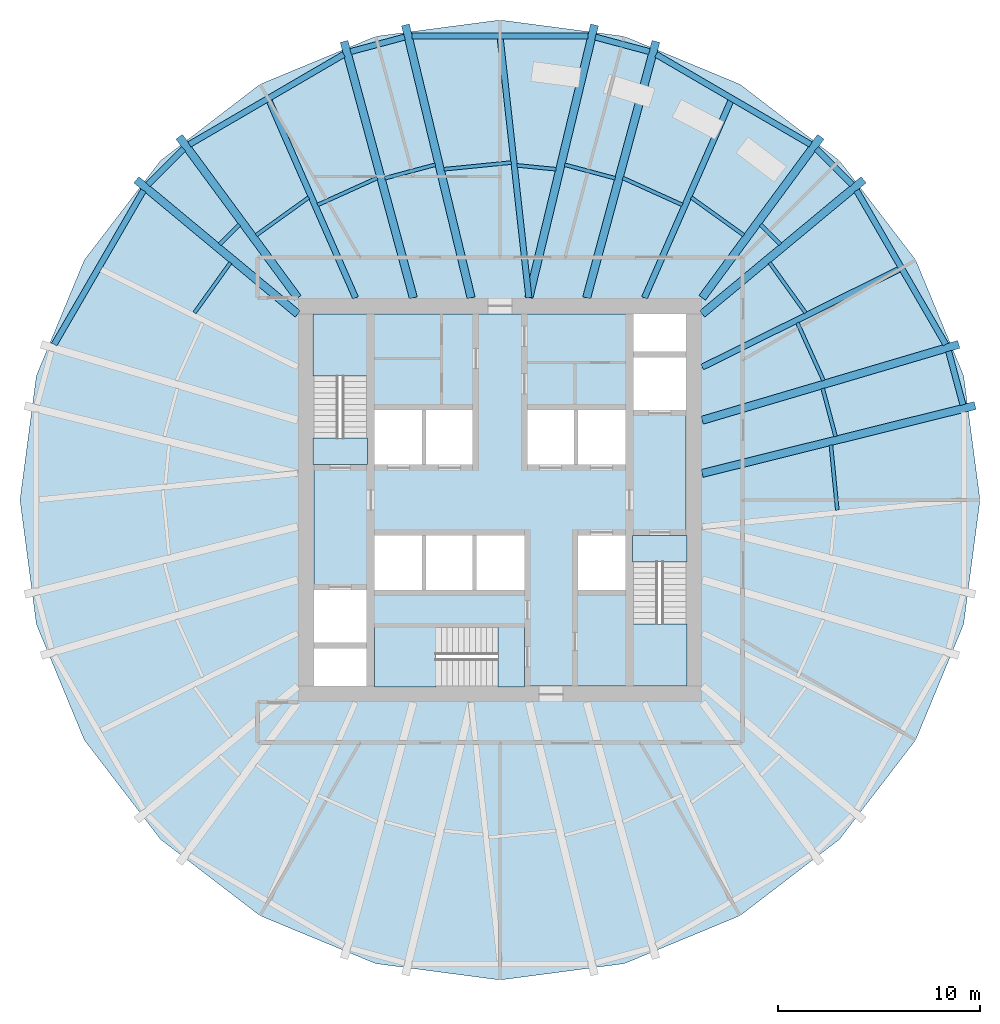
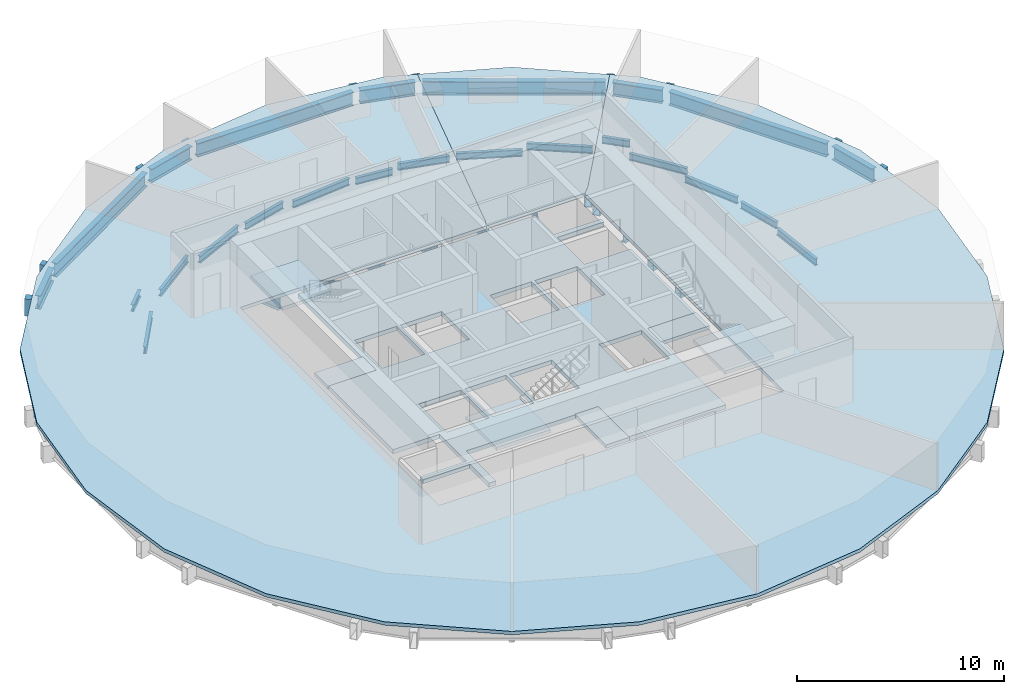
# One storey, part 2 of 7: 39 beams, 9 slabs, 3 elements without a shape of their own.
"""IFC4 building model written with IfcOpenShell, lengths in metres."""

from ifc_helpers import new_model, si_unit, direction, frame, origin, origin_2d, place, context, subcontext, project, spatial, polyline, hollow_rectangle, i_section, outline, extrude, material, layer, layer_set, material_profile, profile_set, type_object, element, aggregate, save


model = new_model("IFC4")

# Units and contexts
model_context = context("Model", 3, precision=1e-05, world=origin(), true_north=direction((0.0, 1.0)))
body_context = subcontext(model_context, "Body", "Model", "MODEL_VIEW")
ifc_project = project(units=[si_unit("LENGTHUNIT", "METRE"), si_unit("AREAUNIT", "SQUARE_METRE"), si_unit("VOLUMEUNIT", "CUBIC_METRE"), si_unit("PLANEANGLEUNIT", "RADIAN"), si_unit("MASSUNIT", "GRAM", prefix="KILO")], contexts=[model_context])

# Site, building, storey
site_placement = place(None, origin())
site = spatial("IfcSite", under=ifc_project, at=site_placement, CompositionType="ELEMENT")
building_placement = place(site_placement, origin())
building = spatial("IfcBuilding", under=site, at=building_placement, Name="Golbaran Civic Tower", CompositionType="ELEMENT")
storey_placement = place(building_placement, frame((0.0, 0.0, 65.0)))
storey = spatial("IfcBuildingStorey", under=building, at=storey_placement, Name="L15", CompositionType="ELEMENT", Elevation=65.0)

# Beams
ifc_material_1 = material(Name="Steel S355", Category="steel")
ifc_material_profile_1 = material_profile(ifc_material_1, i_section(OverallWidth=0.300048828125, OverallDepth=0.800048828125, WebThickness=0.017578125, FlangeThickness=0.032958984375, FilletRadius=0.030029296875, at=origin_2d()), Name="HEB 800")
ifc_profile_set_1 = profile_set([ifc_material_profile_1], Name="Steel S355")
beam_type_1 = type_object("IfcBeamType", Name="EDGE BEAM HEB 800", PredefinedType="BEAM", material=ifc_profile_set_1)
beam_1_placement = place(storey_placement, frame((22.892822265625, 4.707763671875, -0.60009765625), z_axis=(-0.258570152701, 0.965992482441, 0.0), x_axis=(-0.965992482441, -0.258570152701, 0.0)))
element("IfcBeam", 1, at=beam_1_placement, inside=storey, type_object=beam_type_1, Name="Edge beam 11.32 L15", PredefinedType="BEAM", context=body_context, shape_type="SweptSolid", body=[
    extrude(i_section(OverallWidth=0.300048828125, OverallDepth=0.800048828125, WebThickness=0.017578125, FlangeThickness=0.032958984375, FilletRadius=0.030029296875, at=origin_2d()), origin(), (0.0, 0.0, 1.0), 2.74560546875),
])
beam_2_placement = place(storey_placement, frame((22.04345703125, 7.694091796875, -0.60009765625), z_axis=(-0.50151960102, 0.865146282309, 0.0), x_axis=(-0.865146282309, -0.50151960102, 0.0)))
element("IfcBeam", 2, at=beam_2_placement, inside=storey, type_object=beam_type_1, Name="Edge beam 18.68 L15", PredefinedType="BEAM", context=body_context, shape_type="SweptSolid", body=[
    extrude(i_section(OverallWidth=0.300048828125, OverallDepth=0.800048828125, WebThickness=0.017578125, FlangeThickness=0.032958984375, FilletRadius=0.030029296875, at=origin_2d()), origin(), (0.0, 0.0, 1.0), 8.79931640625),
])
beam_3_placement = place(storey_placement, frame((17.411376953125, 15.5927734375, -0.60009765625), z_axis=(-0.706031038, 0.708180890296, 0.0), x_axis=(-0.708180890296, -0.706031038, 0.0)))
element("IfcBeam", 3, at=beam_3_placement, inside=storey, type_object=beam_type_1, Name="Edge beam 41.32 L15", PredefinedType="BEAM", context=body_context, shape_type="SweptSolid", body=[
    extrude(i_section(OverallWidth=0.300048828125, OverallDepth=0.800048828125, WebThickness=0.017578125, FlangeThickness=0.032958984375, FilletRadius=0.030029296875, at=origin_2d()), origin(), (0.0, 0.0, 1.0), 2.498291015625),
])
beam_4_placement = place(storey_placement, frame((15.362548828125, 17.582275390625, -0.60009765625), z_axis=(-0.864063190564, 0.503383355617, 0.0), x_axis=(-0.503383355617, -0.864063190564, 0.0)))
element("IfcBeam", 4, at=beam_4_placement, inside=storey, type_object=beam_type_1, Name="Edge beam 48.68 L15", PredefinedType="BEAM", context=body_context, shape_type="SweptSolid", body=[
    extrude(i_section(OverallWidth=0.300048828125, OverallDepth=0.800048828125, WebThickness=0.017578125, FlangeThickness=0.032958984375, FilletRadius=0.030029296875, at=origin_2d()), origin(), (0.0, 0.0, 1.0), 8.841552734375),
])
beam_5_placement = place(storey_placement, frame((7.387939453125, 22.173583984375, -0.60009765625), z_axis=(-0.965779219382, 0.259365570982, 0.0), x_axis=(-0.259365570982, -0.965779219382, 0.0)))
element("IfcBeam", 5, at=beam_5_placement, inside=storey, type_object=beam_type_1, Name="Edge beam 71.32 L15", PredefinedType="BEAM", context=body_context, shape_type="SweptSolid", body=[
    extrude(i_section(OverallWidth=0.300048828125, OverallDepth=0.800048828125, WebThickness=0.017578125, FlangeThickness=0.032958984375, FilletRadius=0.030029296875, at=origin_2d()), origin(), (0.0, 0.0, 1.0), 2.765625),
])
beam_6_placement = place(storey_placement, frame((4.35791015625, 22.937744140625, -0.60009765625), z_axis=(-1.0, 0.0, 0.0), x_axis=(0.0, -1.0, 0.0)))
element("IfcBeam", 6, at=beam_6_placement, inside=storey, type_object=beam_type_1, Name="Edge beam 78.68 L15", PredefinedType="BEAM", context=body_context, shape_type="SweptSolid", body=[
    extrude(i_section(OverallWidth=0.300048828125, OverallDepth=0.800048828125, WebThickness=0.017578125, FlangeThickness=0.032958984375, FilletRadius=0.030029296875, at=origin_2d()), origin(), (0.0, 0.0, 1.0), 8.7158203125),
])
beam_7_placement = place(storey_placement, frame((-4.717041015625, 22.890869140625, -0.60009765625), z_axis=(-0.965779219382, -0.259365570982, 0.0), x_axis=(0.259365570982, -0.965779219382, 0.0)))
element("IfcBeam", 7, at=beam_7_placement, inside=storey, type_object=beam_type_1, Name="Edge beam 101.32 L15", PredefinedType="BEAM", context=body_context, shape_type="SweptSolid", body=[
    extrude(i_section(OverallWidth=0.300048828125, OverallDepth=0.800048828125, WebThickness=0.017578125, FlangeThickness=0.032958984375, FilletRadius=0.030029296875, at=origin_2d()), origin(), (0.0, 0.0, 1.0), 2.765625),
])
beam_8_placement = place(storey_placement, frame((-7.722900390625, 22.032958984375, -0.60009765625), z_axis=(-0.864063190564, -0.503383355617, 0.0), x_axis=(0.503383355617, -0.864063190564, 0.0)))
element("IfcBeam", 8, at=beam_8_placement, inside=storey, type_object=beam_type_1, Name="Edge beam 108.68 L15", PredefinedType="BEAM", context=body_context, shape_type="SweptSolid", body=[
    extrude(i_section(OverallWidth=0.300048828125, OverallDepth=0.800048828125, WebThickness=0.017578125, FlangeThickness=0.032958984375, FilletRadius=0.030029296875, at=origin_2d()), origin(), (0.0, 0.0, 1.0), 8.841552734375),
])
beam_9_placement = place(storey_placement, frame((-15.6474609375, 17.362060546875, -0.60009765625), z_axis=(-0.706031038, -0.708180890296, 0.0), x_axis=(0.708180890296, -0.706031038, 0.0)))
element("IfcBeam", 9, at=beam_9_placement, inside=storey, type_object=beam_type_1, Name="Edge beam 131.32 L15", PredefinedType="BEAM", context=body_context, shape_type="SweptSolid", body=[
    extrude(i_section(OverallWidth=0.300048828125, OverallDepth=0.800048828125, WebThickness=0.017578125, FlangeThickness=0.032958984375, FilletRadius=0.030029296875, at=origin_2d()), origin(), (0.0, 0.0, 1.0), 2.498291015625),
])
beam_10_placement = place(storey_placement, frame((-17.63037109375, 15.306884765625, -0.60009765625), z_axis=(-0.50151960102, -0.865146282309, 0.0), x_axis=(0.865146282309, -0.50151960102, 0.0)))
element("IfcBeam", 10, at=beam_10_placement, inside=storey, type_object=beam_type_1, Name="Edge beam 138.68 L15", PredefinedType="BEAM", context=body_context, shape_type="SweptSolid", body=[
    extrude(i_section(OverallWidth=0.300048828125, OverallDepth=0.800048828125, WebThickness=0.017578125, FlangeThickness=0.032958984375, FilletRadius=0.030029296875, at=origin_2d()), origin(), (0.0, 0.0, 1.0), 8.79931640625),
])
ifc_material_profile_2 = material_profile(ifc_material_1, i_section(OverallWidth=0.179931640625, OverallDepth=0.39990234375, WebThickness=0.008544921875, FlangeThickness=0.013427734375, FilletRadius=0.02099609375, at=origin_2d()), Name="IPE 400")
ifc_profile_set_2 = profile_set([ifc_material_profile_2], Name="Steel S355")
beam_type_2 = type_object("IfcBeamType", Name="FLOOR INFILL BEAM IPE 400", PredefinedType="BEAM", material=ifc_profile_set_2)
beam_11_placement = place(storey_placement, frame((16.681640625, -0.5048828125, -0.39990234375), z_axis=(-0.098636260006, 0.995123554244, 0.0), x_axis=(-0.995123554244, -0.098636260006, 0.0)))
element("IfcBeam", 11, at=beam_11_placement, inside=storey, type_object=beam_type_2, Name="Infill beam 5.66 L15", PredefinedType="BEAM", context=body_context, shape_type="SweptSolid", body=[
    extrude(i_section(OverallWidth=0.179931640625, OverallDepth=0.39990234375, WebThickness=0.008544921875, FlangeThickness=0.013427734375, FilletRadius=0.02099609375, at=origin_2d()), origin(), (0.0, 0.0, 1.0), 3.232666015625),
])
beam_12_placement = place(storey_placement, frame((16.5947265625, 3.140625, -0.39990234375), z_axis=(-0.258792276938, 0.9659329984, 0.0), x_axis=(-0.9659329984, -0.258792276938, 0.0)))
element("IfcBeam", 12, at=beam_12_placement, inside=storey, type_object=beam_type_2, Name="Infill beam 15.00 L15", PredefinedType="BEAM", context=body_context, shape_type="SweptSolid", body=[
    extrude(i_section(OverallWidth=0.179931640625, OverallDepth=0.39990234375, WebThickness=0.008544921875, FlangeThickness=0.013427734375, FilletRadius=0.02099609375, at=origin_2d()), origin(), (0.0, 0.0, 1.0), 2.461181640625),
])
beam_13_placement = place(storey_placement, frame((15.998779296875, 5.905517578125, -0.39990234375), z_axis=(-0.412089389939, 0.911143421586, 0.0), x_axis=(-0.911143421586, -0.412089389939, 0.0)))
element("IfcBeam", 13, at=beam_13_placement, inside=storey, type_object=beam_type_2, Name="Infill beam 24.34 L15", PredefinedType="BEAM", context=body_context, shape_type="SweptSolid", body=[
    extrude(i_section(OverallWidth=0.179931640625, OverallDepth=0.39990234375, WebThickness=0.008544921875, FlangeThickness=0.013427734375, FilletRadius=0.02099609375, at=origin_2d()), origin(), (0.0, 0.0, 1.0), 3.1357421875),
])
beam_14_placement = place(storey_placement, frame((15.111572265625, 9.25390625, -0.39990234375), z_axis=(-0.582938862706, 0.812516019748, 0.0), x_axis=(-0.812516019748, -0.582938862706, 0.0)))
element("IfcBeam", 14, at=beam_14_placement, inside=storey, type_object=beam_type_2, Name="Infill beam 35.66 L15", PredefinedType="BEAM", context=body_context, shape_type="SweptSolid", body=[
    extrude(i_section(OverallWidth=0.179931640625, OverallDepth=0.39990234375, WebThickness=0.008544921875, FlangeThickness=0.013427734375, FilletRadius=0.02099609375, at=origin_2d()), origin(), (0.0, 0.0, 1.0), 3.05322265625),
])
beam_15_placement = place(storey_placement, frame((13.861083984375, 12.642578125, -0.39990234375), z_axis=(-0.707195441054, 0.707018110201, 0.0), x_axis=(-0.707018110201, -0.707195441054, 0.0)))
element("IfcBeam", 15, at=beam_15_placement, inside=storey, type_object=beam_type_2, Name="Infill beam 45.00 L15", PredefinedType="BEAM", context=body_context, shape_type="SweptSolid", body=[
    extrude(i_section(OverallWidth=0.179931640625, OverallDepth=0.39990234375, WebThickness=0.008544921875, FlangeThickness=0.013427734375, FilletRadius=0.02099609375, at=origin_2d()), origin(), (0.0, 0.0, 1.0), 1.376708984375),
])
beam_16_placement = place(storey_placement, frame((12.056640625, 13.09521484375, -0.39990234375), z_axis=(-0.812493435831, 0.582970339495, 0.0), x_axis=(-0.582970339495, -0.812493435831, 0.0)))
element("IfcBeam", 16, at=beam_16_placement, inside=storey, type_object=beam_type_2, Name="Infill beam 54.34 L15", PredefinedType="BEAM", context=body_context, shape_type="SweptSolid", body=[
    extrude(i_section(OverallWidth=0.179931640625, OverallDepth=0.39990234375, WebThickness=0.008544921875, FlangeThickness=0.013427734375, FilletRadius=0.02099609375, at=origin_2d()), origin(), (0.0, 0.0, 1.0), 3.197509765625),
])
beam_17_placement = place(storey_placement, frame((9.014404296875, 14.593017578125, -0.39990234375), z_axis=(-0.911113331175, 0.412155914376, 0.0), x_axis=(-0.412155914376, -0.911113331175, 0.0)))
element("IfcBeam", 17, at=beam_17_placement, inside=storey, type_object=beam_type_2, Name="Infill beam 65.66 L15", PredefinedType="BEAM", context=body_context, shape_type="SweptSolid", body=[
    extrude(i_section(OverallWidth=0.179931640625, OverallDepth=0.39990234375, WebThickness=0.008544921875, FlangeThickness=0.013427734375, FilletRadius=0.02099609375, at=origin_2d()), origin(), (0.0, 0.0, 1.0), 3.22900390625),
])
beam_18_placement = place(storey_placement, frame((5.69580078125, 15.909912109375, -0.39990234375), z_axis=(-0.96594763022, 0.258737658012, 0.0), x_axis=(-0.258737658012, -0.96594763022, 0.0)))
element("IfcBeam", 18, at=beam_18_placement, inside=storey, type_object=beam_type_2, Name="Infill beam 75.00 L15", PredefinedType="BEAM", context=body_context, shape_type="SweptSolid", body=[
    extrude(i_section(OverallWidth=0.179931640625, OverallDepth=0.39990234375, WebThickness=0.008544921875, FlangeThickness=0.013427734375, FilletRadius=0.02099609375, at=origin_2d()), origin(), (0.0, 0.0, 1.0), 2.58642578125),
])
beam_19_placement = place(storey_placement, frame((2.7734375, 16.355712890625, -0.39990234375), z_axis=(-0.995128662023, 0.098584714942, 0.0), x_axis=(-0.098584714942, -0.995128662023, 0.0)))
element("IfcBeam", 19, at=beam_19_placement, inside=storey, type_object=beam_type_2, Name="Infill beam 84.34 L15", PredefinedType="BEAM", context=body_context, shape_type="SweptSolid", body=[
    extrude(i_section(OverallWidth=0.179931640625, OverallDepth=0.39990234375, WebThickness=0.008544921875, FlangeThickness=0.013427734375, FilletRadius=0.02099609375, at=origin_2d()), origin(), (0.0, 0.0, 1.0), 1.946533203125),
])
beam_20_placement = place(storey_placement, frame((0.5595703125, 16.68603515625, -0.39990234375), z_axis=(-0.995124848705, -0.098623199553, 0.0), x_axis=(0.098623199553, -0.995124848705, 0.0)))
element("IfcBeam", 20, at=beam_20_placement, inside=storey, type_object=beam_type_2, Name="Infill beam 95.66 L15", PredefinedType="BEAM", context=body_context, shape_type="SweptSolid", body=[
    extrude(i_section(OverallWidth=0.179931640625, OverallDepth=0.39990234375, WebThickness=0.008544921875, FlangeThickness=0.013427734375, FilletRadius=0.02099609375, at=origin_2d()), origin(), (0.0, 0.0, 1.0), 3.349365234375),
])
beam_21_placement = place(storey_placement, frame((-3.197509765625, 16.5791015625, -0.39990234375), z_axis=(-0.96594763022, -0.258737658012, 0.0), x_axis=(0.258737658012, -0.96594763022, 0.0)))
element("IfcBeam", 21, at=beam_21_placement, inside=storey, type_object=beam_type_2, Name="Infill beam 105.00 L15", PredefinedType="BEAM", context=body_context, shape_type="SweptSolid", body=[
    extrude(i_section(OverallWidth=0.179931640625, OverallDepth=0.39990234375, WebThickness=0.008544921875, FlangeThickness=0.013427734375, FilletRadius=0.02099609375, at=origin_2d()), origin(), (0.0, 0.0, 1.0), 2.58642578125),
])
beam_22_placement = place(storey_placement, frame((-6.072509765625, 15.923828125, -0.39990234375), z_axis=(-0.911113331175, -0.412155914376, 0.0), x_axis=(0.412155914376, -0.911113331175, 0.0)))
element("IfcBeam", 22, at=beam_22_placement, inside=storey, type_object=beam_type_2, Name="Infill beam 114.34 L15", PredefinedType="BEAM", context=body_context, shape_type="SweptSolid", body=[
    extrude(i_section(OverallWidth=0.179931640625, OverallDepth=0.39990234375, WebThickness=0.008544921875, FlangeThickness=0.013427734375, FilletRadius=0.02099609375, at=origin_2d()), origin(), (0.0, 0.0, 1.0), 3.22900390625),
])
beam_23_placement = place(storey_placement, frame((-9.458740234375, 14.959228515625, -0.39990234375), z_axis=(-0.812493435831, -0.582970339495, 0.0), x_axis=(0.582970339495, -0.812493435831, 0.0)))
element("IfcBeam", 23, at=beam_23_placement, inside=storey, type_object=beam_type_2, Name="Infill beam 125.66 L15", PredefinedType="BEAM", context=body_context, shape_type="SweptSolid", body=[
    extrude(i_section(OverallWidth=0.179931640625, OverallDepth=0.39990234375, WebThickness=0.008544921875, FlangeThickness=0.013427734375, FilletRadius=0.02099609375, at=origin_2d()), origin(), (0.0, 0.0, 1.0), 3.197509765625),
])
beam_24_placement = place(storey_placement, frame((-12.887451171875, 13.615966796875, -0.39990234375), z_axis=(-0.707195441054, -0.707018110201, 0.0), x_axis=(0.707018110201, -0.707195441054, 0.0)))
element("IfcBeam", 24, at=beam_24_placement, inside=storey, type_object=beam_type_2, Name="Infill beam 135.00 L15", PredefinedType="BEAM", context=body_context, shape_type="SweptSolid", body=[
    extrude(i_section(OverallWidth=0.179931640625, OverallDepth=0.39990234375, WebThickness=0.008544921875, FlangeThickness=0.013427734375, FilletRadius=0.02099609375, at=origin_2d()), origin(), (0.0, 0.0, 1.0), 1.376708984375),
])
beam_25_placement = place(storey_placement, frame((-13.331787109375, 11.734619140625, -0.39990234375), z_axis=(-0.582938862706, -0.812516019748, 0.0), x_axis=(0.812516019748, -0.582938862706, 0.0)))
element("IfcBeam", 25, at=beam_25_placement, inside=storey, type_object=beam_type_2, Name="Infill beam 144.34 L15", PredefinedType="BEAM", context=body_context, shape_type="SweptSolid", body=[
    extrude(i_section(OverallWidth=0.179931640625, OverallDepth=0.39990234375, WebThickness=0.008544921875, FlangeThickness=0.013427734375, FilletRadius=0.02099609375, at=origin_2d()), origin(), (0.0, 0.0, 1.0), 3.05322265625),
])
ifc_material_profile_3 = material_profile(ifc_material_1, hollow_rectangle(XDim=0.39990234375, YDim=1.0, WallThickness=0.0400390625, at=origin_2d()), Name="BOX 1000x400x40")
ifc_profile_set_3 = profile_set([ifc_material_profile_3], Name="Steel S355")
beam_type_3 = type_object("IfcBeamType", Name="RADIAL FLOOR BEAM BOX 1000x400x40", PredefinedType="BEAM", material=ifc_profile_set_3)
beam_26_placement = place(storey_placement, frame((10.0, 1.314208984375, -0.7099609375), z_axis=(0.970411447986, 0.241457287358, 0.0), x_axis=(-0.241457287358, 0.970411447986, 0.0)))
element("IfcBeam", 26, at=beam_26_placement, inside=storey, type_object=beam_type_3, Name="Radial beam 11.32 L15", PredefinedType="BEAM", context=body_context, shape_type="SweptSolid", body=[
    extrude(hollow_rectangle(XDim=0.39990234375, YDim=1.0, WallThickness=0.0400390625, at=origin_2d()), origin(), (0.0, 0.0, 1.0), 13.90576171875),
])
beam_27_placement = place(storey_placement, frame((10.0, 3.94287109375, -0.7099609375), z_axis=(0.958903426134, 0.283732654709, 0.0), x_axis=(-0.283732654709, 0.958903426134, 0.0)))
element("IfcBeam", 27, at=beam_27_placement, inside=storey, type_object=beam_type_3, Name="Radial beam 18.68 L15", PredefinedType="BEAM", context=body_context, shape_type="SweptSolid", body=[
    extrude(hollow_rectangle(XDim=0.39990234375, YDim=1.0, WallThickness=0.0400390625, at=origin_2d()), origin(), (0.0, 0.0, 1.0), 13.228759765625),
])
beam_28_placement = place(storey_placement, frame((10.0, 9.199951171875, -0.7099609375), z_axis=(0.76909770483, 0.639131223166, 0.0), x_axis=(-0.639131223166, 0.76909770483, 0.0)))
element("IfcBeam", 28, at=beam_28_placement, inside=storey, type_object=beam_type_3, Name="Radial beam 41.32 L15", PredefinedType="BEAM", context=body_context, shape_type="SweptSolid", body=[
    extrude(hollow_rectangle(XDim=0.39990234375, YDim=1.0, WallThickness=0.0400390625, at=origin_2d()), origin(), (0.0, 0.0, 1.0), 10.380615234375),
])
beam_29_placement = place(storey_placement, frame((10.0, 10.0, -0.7099609375), z_axis=(0.593149357241, 0.8050924419, 0.0), x_axis=(-0.8050924419, 0.593149357241, 0.0)))
element("IfcBeam", 29, at=beam_29_placement, inside=storey, type_object=beam_type_3, Name="Radial beam 48.68 L15", PredefinedType="BEAM", context=body_context, shape_type="SweptSolid", body=[
    extrude(hollow_rectangle(XDim=0.39990234375, YDim=1.0, WallThickness=0.0400390625, at=origin_2d()), origin(), (0.0, 0.0, 1.0), 9.890380859375),
])
beam_30_placement = place(storey_placement, frame((4.28564453125, 10.0, -0.7099609375), z_axis=(0.260812095373, 0.965389585042, 0.0), x_axis=(-0.965389585042, 0.260812095373, 0.0)))
element("IfcBeam", 30, at=beam_30_placement, inside=storey, type_object=beam_type_3, Name="Radial beam 71.32 L15", PredefinedType="BEAM", context=body_context, shape_type="SweptSolid", body=[
    extrude(hollow_rectangle(XDim=0.39990234375, YDim=1.0, WallThickness=0.0400390625, at=origin_2d()), origin(), (0.0, 0.0, 1.0), 13.13232421875),
])
for number, where, z_axis, x_axis, name in (
    (31, (1.428466796875, 10.0, -0.7099609375), (0.234054146473, 0.972223563034, 0.0), (-0.972223563034, 0.234054146473, 0.0), "Radial beam 78.68 L15"),
    (32, (-1.428466796875, 10.0, -0.7099609375), (-0.234054146473, 0.972223563034, 0.0), (-0.972223563034, -0.234054146473, 0.0), "Radial beam 101.32 L15"),
):
    element("IfcBeam", number, at=place(storey_placement, frame(where, z_axis=z_axis, x_axis=x_axis)), inside=storey, type_object=beam_type_3, Name=name, PredefinedType="BEAM", context=body_context, shape_type="SweptSolid", body=[
        extrude(hollow_rectangle(XDim=0.39990234375, YDim=1.0, WallThickness=0.0400390625, at=origin_2d()), origin(), (0.0, 0.0, 1.0), 13.87939453125),
    ])
beam_31_placement = place(storey_placement, frame((-4.28564453125, 10.0, -0.7099609375), z_axis=(-0.260812095373, 0.965389585042, 0.0), x_axis=(-0.965389585042, -0.260812095373, 0.0)))
element("IfcBeam", 33, at=beam_31_placement, inside=storey, type_object=beam_type_3, Name="Radial beam 108.68 L15", PredefinedType="BEAM", context=body_context, shape_type="SweptSolid", body=[
    extrude(hollow_rectangle(XDim=0.39990234375, YDim=1.0, WallThickness=0.0400390625, at=origin_2d()), origin(), (0.0, 0.0, 1.0), 13.13232421875),
])
beam_32_placement = place(storey_placement, frame((-10.0, 10.0, -0.7099609375), z_axis=(-0.593149357241, 0.8050924419, 0.0), x_axis=(-0.8050924419, -0.593149357241, 0.0)))
element("IfcBeam", 34, at=beam_32_placement, inside=storey, type_object=beam_type_3, Name="Radial beam 131.32 L15", PredefinedType="BEAM", context=body_context, shape_type="SweptSolid", body=[
    extrude(hollow_rectangle(XDim=0.39990234375, YDim=1.0, WallThickness=0.0400390625, at=origin_2d()), origin(), (0.0, 0.0, 1.0), 9.890380859375),
])
beam_33_placement = place(storey_placement, frame((-10.0, 9.199951171875, -0.7099609375), z_axis=(-0.76909770483, 0.639131223166, 0.0), x_axis=(-0.639131223166, -0.76909770483, 0.0)))
element("IfcBeam", 35, at=beam_33_placement, inside=storey, type_object=beam_type_3, Name="Radial beam 138.68 L15", PredefinedType="BEAM", context=body_context, shape_type="SweptSolid", body=[
    extrude(hollow_rectangle(XDim=0.39990234375, YDim=1.0, WallThickness=0.0400390625, at=origin_2d()), origin(), (0.0, 0.0, 1.0), 10.380615234375),
])
ifc_material_profile_4 = material_profile(ifc_material_1, i_section(OverallWidth=0.300048828125, OverallDepth=1.0, WebThickness=0.01904296875, FlangeThickness=0.035888671875, FilletRadius=0.030029296875, at=origin_2d()), Name="HEB 1000")
ifc_profile_set_4 = profile_set([ifc_material_profile_4], Name="Steel S355")
beam_type_4 = type_object("IfcBeamType", Name="SECONDARY FLOOR BEAM HEB 1000", PredefinedType="BEAM", material=ifc_profile_set_4)
beam_34_placement = place(storey_placement, frame((10.0, 6.571533203125, -0.7099609375), z_axis=(0.895714559729, 0.444629539605, 0.0), x_axis=(-0.444629539605, 0.895714559729, 0.0)))
element("IfcBeam", 36, at=beam_34_placement, inside=storey, type_object=beam_type_4, Name="Secondary beam 30.00 L15", PredefinedType="BEAM", context=body_context, shape_type="SweptSolid", body=[
    extrude(i_section(OverallWidth=0.300048828125, OverallDepth=1.0, WebThickness=0.01904296875, FlangeThickness=0.035888671875, FilletRadius=0.030029296875, at=origin_2d()), origin(), (0.0, 0.0, 1.0), 11.00537109375),
])
beam_35_placement = place(storey_placement, frame((7.142822265625, 10.0, -0.7099609375), z_axis=(0.401507915819, 0.915855552767, 0.0), x_axis=(-0.915855552767, 0.401507915819, 0.0)))
element("IfcBeam", 37, at=beam_35_placement, inside=storey, type_object=beam_type_4, Name="Secondary beam 60.00 L15", PredefinedType="BEAM", context=body_context, shape_type="SweptSolid", body=[
    extrude(i_section(OverallWidth=0.300048828125, OverallDepth=1.0, WebThickness=0.01904296875, FlangeThickness=0.035888671875, FilletRadius=0.030029296875, at=origin_2d()), origin(), (0.0, 0.0, 1.0), 10.759521484375),
])
beam_36_placement = place(storey_placement, frame((1.428466796875, 10.0, -0.7099609375), z_axis=(-0.109743916096, 0.993959895006, 0.0), x_axis=(-0.993959895006, -0.109743916096, 0.0)))
element("IfcBeam", 38, at=beam_36_placement, inside=storey, type_object=beam_type_4, Name="Secondary beam 90.00 L15", PredefinedType="BEAM", context=body_context, shape_type="SweptSolid", body=[
    extrude(i_section(OverallWidth=0.300048828125, OverallDepth=1.0, WebThickness=0.01904296875, FlangeThickness=0.035888671875, FilletRadius=0.030029296875, at=origin_2d()), origin(), (0.0, 0.0, 1.0), 13.016357421875),
])
beam_37_placement = place(storey_placement, frame((-7.142822265625, 10.0, -0.7099609375), z_axis=(-0.401507915819, 0.915855552767, 0.0), x_axis=(-0.915855552767, -0.401507915819, 0.0)))
element("IfcBeam", 39, at=beam_37_placement, inside=storey, type_object=beam_type_4, Name="Secondary beam 120.00 L15", PredefinedType="BEAM", context=body_context, shape_type="SweptSolid", body=[
    extrude(i_section(OverallWidth=0.300048828125, OverallDepth=1.0, WebThickness=0.01904296875, FlangeThickness=0.035888671875, FilletRadius=0.030029296875, at=origin_2d()), origin(), (0.0, 0.0, 1.0), 10.759521484375),
])

# Slabs
ifc_material_2 = material(Name="Concrete LC30/33 lightweight on steel deck", Category="concrete")
ifc_layer_1 = layer(ifc_material_2, 0.199951171875, Name="Concrete LC30/33 lightweight on steel deck")
ifc_layer_set_1 = layer_set([ifc_layer_1], Name="Concrete LC30/33 lightweight on steel deck")
slab_type_1 = type_object("IfcSlabType", Name="COMPOSITE FLOOR SLAB 200", PredefinedType="FLOOR", material=ifc_layer_set_1)
slab_1_placement = place(storey_placement, frame((0.0, 0.0, -0.199951171875)))
element("IfcSlab", 40, at=slab_1_placement, inside=storey, type_object=slab_type_1, Name="Sky garden deck L15", PredefinedType="FLOOR", context=body_context, shape_type="SweptSolid", body=[
    extrude(outline(polyline([(15.64306640625, 17.65966796875), (10.0, 10.0), (9.60009765625, 9.60009765625), (4.1142578125, 9.60009765625), (4.28564453125, 10.0), (7.613525390625, 22.318603515625), (11.8681640625, 20.55615234375), (15.64306640625, 17.65966796875)])), origin(), (0.0, 0.0, 1.0), 0.199951171875),
])
slab_2_placement = place(storey_placement, frame((0.0, 0.0, -0.199951171875)))
element("IfcSlab", 41, at=slab_2_placement, inside=storey, type_object=slab_type_1, Name="Floor slab L15", PredefinedType="FLOOR", context=body_context, shape_type="SweptSolid", body=[
    extrude(outline(polyline([(16.7841796875, -16.7841796875), (11.8681640625, -20.55615234375), (6.143310546875, -22.927490234375), (0.0, -23.736328125), (-6.143310546875, -22.927490234375), (-11.8681640625, -20.55615234375), (-16.7841796875, -16.7841796875), (-20.55615234375, -11.8681640625), (-22.927490234375, -6.143310546875), (-23.736328125, 0.0), (-22.927490234375, 6.143310546875), (-20.55615234375, 11.8681640625), (-16.7841796875, 16.7841796875), (-11.8681640625, 20.55615234375), (-6.143310546875, 22.927490234375), (0.0, 23.736328125), (6.143310546875, 22.927490234375), (7.613525390625, 22.318603515625), (4.28564453125, 10.0), (4.1142578125, 9.60009765625), (-9.60009765625, 9.60009765625), (-9.60009765625, -9.60009765625), (9.60009765625, -9.60009765625), (9.60009765625, 9.60009765625), (10.0, 10.0), (15.64306640625, 17.65966796875), (16.7841796875, 16.7841796875), (20.55615234375, 11.8681640625), (22.927490234375, 6.143310546875), (23.736328125, 0.0), (22.927490234375, -6.143310546875), (20.55615234375, -11.8681640625), (16.7841796875, -16.7841796875)])), origin(), (0.0, 0.0, 1.0), 0.199951171875),
])
ifc_material_3 = material(Name="Concrete C35/45", Category="concrete")
ifc_layer_2 = layer(ifc_material_3, 0.25, Name="Concrete C35/45")
ifc_layer_set_2 = layer_set([ifc_layer_2], Name="Concrete C35/45")
slab_type_2 = type_object("IfcSlabType", Name="CORE FLOOR SLAB 250", PredefinedType="FLOOR", material=ifc_layer_set_2)
slab_3_placement = place(storey_placement, frame((0.0, 0.0, -0.25)))
element("IfcSlab", 42, at=slab_3_placement, inside=storey, type_object=slab_type_2, Name="Core floor slab L15", PredefinedType="FLOOR", context=body_context, shape_type="SweptSolid", body=[
    extrude(outline(polyline([(6.60009765625, -1.75), (6.60009765625, -9.199951171875), (1.199951171875, -9.199951171875), (1.199951171875, -6.300048828125), (-6.199951171875, -6.300048828125), (-6.199951171875, -9.199951171875), (-6.60009765625, -9.199951171875), (-6.60009765625, -7.35009765625), (-9.199951171875, -7.35009765625), (-9.199951171875, -7.050048828125), (-6.60009765625, -7.050048828125), (-6.60009765625, -4.449951171875), (-9.199951171875, -4.449951171875), (-9.199951171875, 1.75), (-6.60009765625, 1.75), (-6.60009765625, 9.199951171875), (6.60009765625, 9.199951171875), (6.60009765625, 7.35009765625), (9.199951171875, 7.35009765625), (9.199951171875, 7.050048828125), (6.60009765625, 7.050048828125), (6.60009765625, 4.449951171875), (9.199951171875, 4.449951171875), (9.199951171875, -1.75), (6.60009765625, -1.75)]), holes=[polyline([(6.199951171875, -1.75), (3.85009765625, -1.75), (3.85009765625, -4.449951171875), (6.199951171875, -4.449951171875), (6.199951171875, -1.75)]), polyline([(6.199951171875, 4.449951171875), (3.85009765625, 4.449951171875), (3.85009765625, 1.75), (6.199951171875, 1.75), (6.199951171875, 4.449951171875)]), polyline([(3.64990234375, 4.449951171875), (1.35009765625, 4.449951171875), (1.35009765625, 1.75), (3.64990234375, 1.75), (3.64990234375, 4.449951171875)]), polyline([(1.199951171875, -1.75), (-1.14990234375, -1.75), (-1.14990234375, -4.449951171875), (1.199951171875, -4.449951171875), (1.199951171875, -1.75)]), polyline([(-1.35009765625, 4.449951171875), (-3.64990234375, 4.449951171875), (-3.64990234375, 1.75), (-1.35009765625, 1.75), (-1.35009765625, 4.449951171875)]), polyline([(-1.35009765625, -1.75), (-3.64990234375, -1.75), (-3.64990234375, -4.449951171875), (-1.35009765625, -4.449951171875), (-1.35009765625, -1.75)]), polyline([(-3.85009765625, -1.75), (-6.199951171875, -1.75), (-6.199951171875, -4.449951171875), (-3.85009765625, -4.449951171875), (-3.85009765625, -1.75)]), polyline([(-3.85009765625, 4.449951171875), (-6.199951171875, 4.449951171875), (-6.199951171875, 1.75), (-3.85009765625, 1.75), (-3.85009765625, 4.449951171875)])]), origin(), (0.0, 0.0, 1.0), 0.25),
])

# Stair, slab
stair_type_1 = type_object("IfcStairType", Name="EXIT STAIR 2600 x 7450, 4000 RISE", PredefinedType="HALF_TURN_STAIR", material=ifc_material_3)
stair_1_placement = place(storey_placement, origin())
stair_1 = element("IfcStair", 43, at=stair_1_placement, inside=storey, type_object=stair_type_1, Name="Stair S1 L15", PredefinedType="HALF_TURN_STAIR")
ifc_layer_3 = layer(ifc_material_3, 0.199951171875, Name="Concrete C35/45")
ifc_layer_set_3 = layer_set([ifc_layer_3], Name="Concrete C35/45")
slab_type_3 = type_object("IfcSlabType", Name="STAIR LANDING 200", PredefinedType="LANDING", material=ifc_layer_set_3)
slab_4_placement = place(storey_placement, frame((0.0, 0.0, 1.800048828125)))
slab_4 = element("IfcSlab", 44, at=slab_4_placement, type_object=slab_type_3, Name="ST26074-40 landing 1", PredefinedType="LANDING", context=body_context, shape_type="SweptSolid", body=[
    extrude(outline(polyline([(-9.25, 6.125), (-9.25, 9.199951171875), (-6.550048828125, 9.199951171875), (-6.550048828125, 6.125), (-9.25, 6.125)])), origin(), (0.0, 0.0, 1.0), 0.199951171875),
])
aggregate(stair_1, [slab_4])

# Slab
slab_5_placement = place(storey_placement, frame((0.0, 0.0, -0.199951171875)))
element("IfcSlab", 45, at=slab_5_placement, inside=storey, type_object=slab_type_3, Name="Stair S1 floor landing L15", PredefinedType="LANDING", context=body_context, shape_type="SweptSolid", body=[
    extrude(outline(polyline([(-9.25, 1.75), (-9.25, 3.054931640625), (-6.550048828125, 3.054931640625), (-6.550048828125, 1.75), (-9.25, 1.75)])), origin(), (0.0, 0.0, 1.0), 0.199951171875),
])

# Stair, slab
stair_2_placement = place(storey_placement, origin())
stair_2 = element("IfcStair", 46, at=stair_2_placement, inside=storey, type_object=stair_type_1, Name="Stair S2 L15", PredefinedType="HALF_TURN_STAIR")
slab_6_placement = place(storey_placement, frame((0.0, 0.0, 1.800048828125)))
slab_6 = element("IfcSlab", 47, at=slab_6_placement, type_object=slab_type_3, Name="ST26074-40 landing 1", PredefinedType="LANDING", context=body_context, shape_type="SweptSolid", body=[
    extrude(outline(polyline([(9.25, -6.125), (9.25, -9.199951171875), (6.550048828125, -9.199951171875), (6.550048828125, -6.125), (9.25, -6.125)])), origin(), (0.0, 0.0, 1.0), 0.199951171875),
])
aggregate(stair_2, [slab_6])

# Slab
slab_7_placement = place(storey_placement, frame((0.0, 0.0, -0.199951171875)))
element("IfcSlab", 48, at=slab_7_placement, inside=storey, type_object=slab_type_3, Name="Stair S2 floor landing L15", PredefinedType="LANDING", context=body_context, shape_type="SweptSolid", body=[
    extrude(outline(polyline([(9.25, -1.75), (9.25, -3.054931640625), (6.550048828125, -3.054931640625), (6.550048828125, -1.75), (9.25, -1.75)])), origin(), (0.0, 0.0, 1.0), 0.199951171875),
])

# Stair, slab
stair_type_2 = type_object("IfcStairType", Name="EXIT STAIR 2900 x 7400, 4000 RISE", PredefinedType="HALF_TURN_STAIR", material=ifc_material_3)
stair_3_placement = place(storey_placement, origin())
stair_3 = element("IfcStair", 49, at=stair_3_placement, inside=storey, type_object=stair_type_2, Name="Stair S3 L15", PredefinedType="HALF_TURN_STAIR")
slab_8_placement = place(storey_placement, frame((0.0, 0.0, 1.800048828125)))
slab_8 = element("IfcSlab", 50, at=slab_8_placement, type_object=slab_type_3, Name="ST29074-40 landing 1", PredefinedType="LANDING", context=body_context, shape_type="SweptSolid", body=[
    extrude(outline(polyline([(-3.175048828125, -9.25), (-6.199951171875, -9.25), (-6.199951171875, -6.25), (-3.175048828125, -6.25), (-3.175048828125, -9.25)])), origin(), (0.0, 0.0, 1.0), 0.199951171875),
])
aggregate(stair_3, [slab_8])

# Slab
slab_9_placement = place(storey_placement, frame((0.0, 0.0, -0.199951171875)))
element("IfcSlab", 51, at=slab_9_placement, inside=storey, type_object=slab_type_3, Name="Stair S3 floor landing L15", PredefinedType="LANDING", context=body_context, shape_type="SweptSolid", body=[
    extrude(outline(polyline([(1.199951171875, -9.25), (-0.10498046875, -9.25), (-0.10498046875, -6.25), (1.199951171875, -6.25), (1.199951171875, -9.25)])), origin(), (0.0, 0.0, 1.0), 0.199951171875),
])

save(model, "model.ifc")
